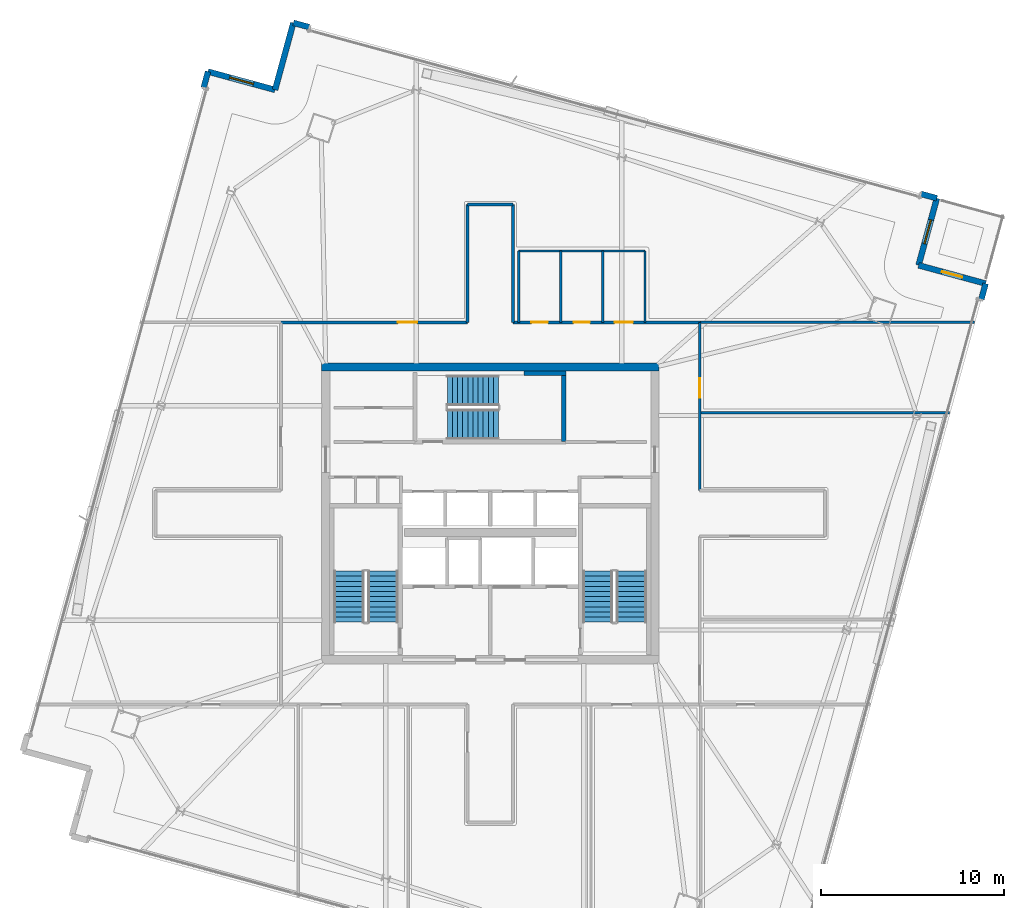
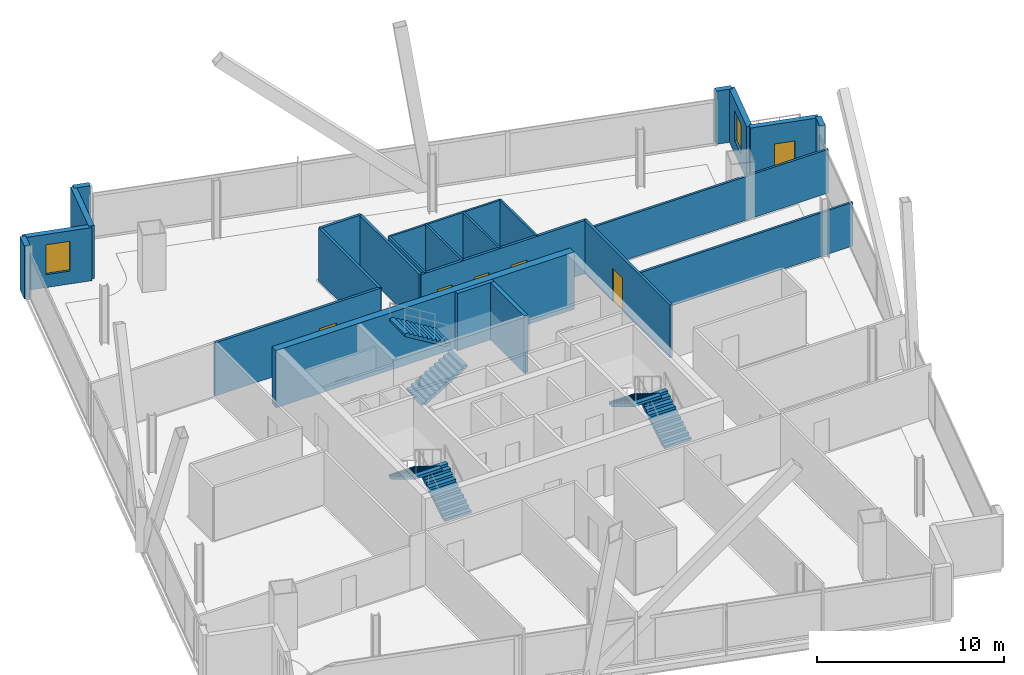
# One storey, part 22 of 26: 24 walls, 6 doors, 6 stair flights, 2 windows, 8 openings, 3 elements without a shape of their own.
"""IFC4 building model written with IfcOpenShell, lengths in metres."""

from ifc_helpers import new_model, si_unit, direction, frame, frame_2d, origin, place, context, subcontext, project, spatial, polyline, rectangle, outline, extrude, material, layer, layer_set, type_object, element, fill, aggregate, save


model = new_model("IFC4")

# Units and contexts
model_context = context("Model", 3, precision=1e-05, world=origin(), true_north=direction((0.0, 1.0)))
body_context = subcontext(model_context, "Body", "Model", "MODEL_VIEW")
ifc_project = project(units=[si_unit("LENGTHUNIT", "METRE"), si_unit("AREAUNIT", "SQUARE_METRE"), si_unit("VOLUMEUNIT", "CUBIC_METRE"), si_unit("PLANEANGLEUNIT", "RADIAN"), si_unit("MASSUNIT", "GRAM", prefix="KILO")], contexts=[model_context])

# Site, building, storey
site_placement = place(None, origin())
site = spatial("IfcSite", under=ifc_project, at=site_placement, CompositionType="ELEMENT")
building_placement = place(site_placement, origin())
building = spatial("IfcBuilding", under=site, at=building_placement, Name="Haldenkirk Collegiate Tower", CompositionType="ELEMENT")
storey_placement = place(building_placement, frame((0.0, 0.0, 278.699951171875)))
storey = spatial("IfcBuildingStorey", under=building, at=storey_placement, Name="L70", CompositionType="ELEMENT", Elevation=278.699951171875)

# Walls
ifc_material_1 = material(Name="Concrete f'c 55 MPa", Category="concrete")
ifc_layer_1 = layer(ifc_material_1, 0.449951171875)
ifc_layer_set_1 = layer_set([ifc_layer_1], Name="Concrete f'c 55 MPa")
wall_type_1 = type_object("IfcWallType", Name="WL-CORE-450", PredefinedType="SHEAR", material=ifc_layer_set_1)
wall_1_placement = place(storey_placement, frame((26.77490234375, 34.0, 0.0), z_axis=(0.0, 0.0, 1.0), x_axis=(1.0, 0.0, 0.0)))
element("IfcWall", 1, at=wall_1_placement, inside=storey, type_object=wall_type_1, Name="L70 central core shear wall N", PredefinedType="SHEAR", context=body_context, shape_type="SweptSolid", body=[
    extrude(rectangle(XDim=18.4501953125, YDim=0.449951171875, at=frame_2d((9.22509765625, 0.0))), origin(), (0.0, 0.0, 1.0), 3.75),
])
ifc_material_2 = material(Name="Precast concrete f'c 40 MPa", Category="concrete")
ifc_layer_2 = layer(ifc_material_2, 0.320068359375)
ifc_layer_set_2 = layer_set([ifc_layer_2], Name="Precast concrete f'c 40 MPa")
wall_type_2 = type_object("IfcWallType", Name="WL-EXT-TWR-320", PredefinedType="STANDARD", material=ifc_layer_set_2)
wall_2_placement = place(storey_placement, frame((63.084716796875, 38.568603515625, 0.0), z_axis=(0.0, 0.0, 1.0), x_axis=(-0.263094455369, -0.964770080151, 0.0)))
element("IfcWall", 2, at=wall_2_placement, inside=storey, type_object=wall_type_2, Name="L70 precast corner pier SL", PredefinedType="STANDARD", context=body_context, shape_type="SweptSolid", body=[
    extrude(rectangle(XDim=0.900146484375, YDim=0.320068359375, at=frame_2d((0.4501953125, 0.0))), origin(), (0.0, 0.0, 1.0), 3.47998046875),
])

# Wall, opening, door
wall_3_placement = place(storey_placement, frame((59.41845703125, 39.568115234375, 0.0), z_axis=(0.0, 0.0, 1.0), x_axis=(0.96478902119, -0.26302498853, 0.0)))
wall_3 = element("IfcWall", 3, at=wall_3_placement, inside=storey, type_object=wall_type_2, Name="L70 bronze precast notch wall 02", PredefinedType="STANDARD", context=body_context, shape_type="SweptSolid", body=[
    extrude(rectangle(XDim=3.800048828125, YDim=0.320068359375, at=frame_2d((1.89990234375, 0.0))), origin(), (0.0, 0.0, 1.0), 3.47998046875),
])
opening_1_placement = place(wall_3_placement, frame((1.324951171875, 0.0, 0.0)))
opening_1 = element("IfcOpeningElement", 4, at=opening_1_placement, cuts=wall_3, Name="Opening D-ST11", PredefinedType="OPENING", context=body_context, shape_type="SweptSolid", body=[
    extrude(rectangle(XDim=1.14990234375, YDim=2.199951171875, at=frame_2d((0.574951171875, 1.10009765625))), frame((0.0, 0.169921875, 0.0), z_axis=(0.0, -1.0, 0.0), x_axis=(1.0, 0.0, 0.0)), (0.0, 0.0, 1.0), 0.340087890625),
])
ifc_material_3 = material(Name="Anodised architectural bronze aluminium", Category="aluminium")
ifc_layer_3 = layer(ifc_material_3, 0.080078125)
ifc_layer_set_3 = layer_set([ifc_layer_3], Name="Anodised architectural bronze aluminium")
door_type_1 = type_object("IfcDoorType", Name="DR-EXT-STER-1150", OperationType="NOTDEFINED", PredefinedType="DOOR", material=ifc_layer_set_3)
door_1_placement = place(opening_1_placement, origin())
door_1 = element("IfcDoor", 5, at=door_1_placement, inside=storey, type_object=door_type_1, Name="L70 spiralling terrace door", OperationType="SINGLE_SWING_LEFT", OverallHeight=2.199951171875, OverallWidth=1.14990234375, PredefinedType="DOOR", context=body_context, shape_type="SweptSolid", body=[
    extrude(rectangle(XDim=1.14990234375, YDim=2.199951171875, at=frame_2d((0.574951171875, 1.10009765625))), frame((0.0, 0.02490234375, 0.0), z_axis=(0.0, -1.0, 0.0), x_axis=(1.0, 0.0, 0.0)), (0.0, 0.0, 1.0), 0.050048828125),
])
fill(opening_1, door_1)

# Wall, opening, window
wall_4_placement = place(storey_placement, frame((60.41796875, 43.234130859375, 0.0), z_axis=(0.0, 0.0, 1.0), x_axis=(-0.263041292916, -0.964784576069, 0.0)))
wall_4 = element("IfcWall", 6, at=wall_4_placement, inside=storey, type_object=wall_type_2, Name="L70 bronze precast notch wall 03", PredefinedType="STANDARD", context=body_context, shape_type="SweptSolid", body=[
    extrude(rectangle(XDim=3.7998046875, YDim=0.320068359375, at=frame_2d((1.89990234375, 0.0))), origin(), (0.0, 0.0, 1.0), 3.47998046875),
])
opening_2_placement = place(wall_4_placement, frame((1.22509765625, 0.0, 0.85009765625)))
opening_2 = element("IfcOpeningElement", 7, at=opening_2_placement, cuts=wall_4, Name="Opening W-07", PredefinedType="OPENING", context=body_context, shape_type="SweptSolid", body=[
    extrude(rectangle(XDim=1.35009765625, YDim=1.949951171875, at=frame_2d((0.675048828125, 0.97509765625))), frame((0.0, 0.169921875, 0.0), z_axis=(0.0, -1.0, 0.0), x_axis=(1.0, 0.0, 0.0)), (0.0, 0.0, 1.0), 0.340087890625),
])
ifc_material_4 = material(Name="Low-E argon triple insulating glass", Category="glass")
ifc_layer_4 = layer(ifc_material_4, 0.090087890625)
ifc_layer_set_4 = layer_set([ifc_layer_4], Name="Low-E argon triple insulating glass")
window_type = type_object("IfcWindowType", Name="WN-Z5-1350X1950", PartitioningType="SINGLE_PANEL", PredefinedType="WINDOW", material=ifc_layer_set_4)
window_1_placement = place(opening_2_placement, origin())
window_1 = element("IfcWindow", 8, at=window_1_placement, inside=storey, type_object=window_type, Name="L70 precast-frame academic window 2", OverallHeight=1.949951171875, OverallWidth=1.35009765625, PartitioningType="SINGLE_PANEL", PredefinedType="WINDOW", context=body_context, shape_type="SweptSolid", body=[
    extrude(rectangle(XDim=1.35009765625, YDim=1.949951171875, at=frame_2d((0.675048828125, 0.97509765625))), frame((0.0, 0.030029296875, 0.0), z_axis=(0.0, -1.0, 0.0), x_axis=(1.0, 0.0, 0.0)), (0.0, 0.0, 1.0), 0.06005859375),
])
fill(opening_2, window_1)

# Walls
for number, where, z_axis, x_axis, name in (
    (9, (25.227294921875, 52.828125, 0.0), (0.0, 0.0, 1.0), (0.964838897514, -0.262841971237, 0.0), "L70 precast corner pier EL"),
    (10, (59.549560546875, 43.470947265625, 0.0), (0.0, 0.0, 1.0), (0.964770080151, -0.263094455369, 0.0), "L70 precast corner pier ER"),
):
    element("IfcWall", number, at=place(storey_placement, frame(where, z_axis=z_axis, x_axis=x_axis)), inside=storey, type_object=wall_type_2, Name=name, PredefinedType="STANDARD", context=body_context, shape_type="SweptSolid", body=[
        extrude(rectangle(XDim=0.900146484375, YDim=0.320068359375, at=frame_2d((0.4501953125, 0.0))), origin(), (0.0, 0.0, 1.0), 3.47998046875),
    ])
wall_5_placement = place(storey_placement, frame((24.227783203125, 49.162109375, 0.0), z_axis=(0.0, 0.0, 1.0), x_axis=(0.263041292916, 0.964784576069, 0.0)))
element("IfcWall", 11, at=wall_5_placement, inside=storey, type_object=wall_type_2, Name="L70 bronze precast notch wall 05", PredefinedType="STANDARD", context=body_context, shape_type="SweptSolid", body=[
    extrude(rectangle(XDim=3.7998046875, YDim=0.320068359375, at=frame_2d((1.89990234375, 0.0))), origin(), (0.0, 0.0, 1.0), 3.47998046875),
])

# Wall, opening, window
wall_6_placement = place(storey_placement, frame((20.5615234375, 50.16162109375, 0.0), z_axis=(0.0, 0.0, 1.0), x_axis=(0.96478902119, -0.26302498853, 0.0)))
wall_6 = element("IfcWall", 12, at=wall_6_placement, inside=storey, type_object=wall_type_2, Name="L70 bronze precast notch wall 06", PredefinedType="STANDARD", context=body_context, shape_type="SweptSolid", body=[
    extrude(rectangle(XDim=3.800048828125, YDim=0.320068359375, at=frame_2d((1.89990234375, 0.0))), origin(), (0.0, 0.0, 1.0), 3.47998046875),
])
opening_3_placement = place(wall_6_placement, frame((1.22509765625, 0.0, 0.85009765625)))
opening_3 = element("IfcOpeningElement", 13, at=opening_3_placement, cuts=wall_6, Name="Opening W-07", PredefinedType="OPENING", context=body_context, shape_type="SweptSolid", body=[
    extrude(rectangle(XDim=1.35009765625, YDim=1.949951171875, at=frame_2d((0.675048828125, 0.97509765625))), frame((0.0, 0.169921875, 0.0), z_axis=(0.0, -1.0, 0.0), x_axis=(1.0, 0.0, 0.0)), (0.0, 0.0, 1.0), 0.340087890625),
])
window_2_placement = place(opening_3_placement, origin())
window_2 = element("IfcWindow", 14, at=window_2_placement, inside=storey, type_object=window_type, Name="L70 precast-frame academic window 5", OverallHeight=1.949951171875, OverallWidth=1.35009765625, PartitioningType="SINGLE_PANEL", PredefinedType="WINDOW", context=body_context, shape_type="SweptSolid", body=[
    extrude(rectangle(XDim=1.35009765625, YDim=1.949951171875, at=frame_2d((0.675048828125, 0.97509765625))), frame((0.0, 0.030029296875, 0.0), z_axis=(0.0, -1.0, 0.0), x_axis=(1.0, 0.0, 0.0)), (0.0, 0.0, 1.0), 0.06005859375),
])
fill(opening_3, window_2)

# Wall
wall_7_placement = place(storey_placement, frame((20.324951171875, 49.293212890625, 0.0), z_axis=(0.0, 0.0, 1.0), x_axis=(0.262841971237, 0.964838897514, 0.0)))
element("IfcWall", 15, at=wall_7_placement, inside=storey, type_object=wall_type_2, Name="L70 precast corner pier NR", PredefinedType="STANDARD", context=body_context, shape_type="SweptSolid", body=[
    extrude(rectangle(XDim=0.900146484375, YDim=0.320068359375, at=frame_2d((0.4501953125, 0.0))), origin(), (0.0, 0.0, 1.0), 3.47998046875),
])

# Wall, opening, door
ifc_material_5 = material(Name="Acoustic fire-rated gypsum partition", Category="concrete")
ifc_layer_5 = layer(ifc_material_5, 0.159912109375)
ifc_layer_set_5 = layer_set([ifc_layer_5], Name="Acoustic fire-rated gypsum partition")
wall_type_3 = type_object("IfcWallType", Name="WL-INT-CORR-160", PredefinedType="PARTITIONING", material=ifc_layer_set_5)
wall_8_placement = place(storey_placement, frame((24.5, 36.449951171875, 0.0), z_axis=(0.0, 0.0, 1.0), x_axis=(1.0, 0.0, 0.0)))
wall_8 = element("IfcWall", 16, at=wall_8_placement, inside=storey, type_object=wall_type_3, Name="L70 interior partition IW-L70-CN1", PredefinedType="PARTITIONING", context=body_context, shape_type="SweptSolid", body=[
    extrude(rectangle(XDim=10.25, YDim=0.159912109375, at=frame_2d((5.125, 0.0))), origin(), (0.0, 0.0, 1.0), 3.47998046875),
])
opening_4_placement = place(wall_8_placement, frame((6.445068359375, 0.0, 0.0)))
opening_4 = element("IfcOpeningElement", 17, at=opening_4_placement, cuts=wall_8, Name="Opening D-09", PredefinedType="OPENING", context=body_context, shape_type="SweptSolid", body=[
    extrude(rectangle(XDim=1.050048828125, YDim=2.14990234375, at=frame_2d((0.52490234375, 1.074951171875))), frame((0.0, 0.08984375, 0.0), z_axis=(0.0, -1.0, 0.0), x_axis=(1.0, 0.0, 0.0)), (0.0, 0.0, 1.0), 0.179931640625),
])
ifc_material_6 = material(Name="Solid-core architectural oak fire door", Category="wood")
ifc_layer_6 = layer(ifc_material_6, 0.06005859375)
ifc_layer_set_6 = layer_set([ifc_layer_6], Name="Solid-core architectural oak fire door")
door_type_2 = type_object("IfcDoorType", Name="DR-INT-FD60-1050", OperationType="NOTDEFINED", PredefinedType="DOOR", material=ifc_layer_set_6)
door_2_placement = place(opening_4_placement, origin())
door_2 = element("IfcDoor", 18, at=door_2_placement, inside=storey, type_object=door_type_2, Name="L70 Scholar Lounge 6 door", OperationType="SINGLE_SWING_RIGHT", OverallHeight=2.14990234375, OverallWidth=1.050048828125, PredefinedType="DOOR", context=body_context, shape_type="SweptSolid", body=[
    extrude(rectangle(XDim=1.050048828125, YDim=2.14990234375, at=frame_2d((0.52490234375, 1.074951171875))), frame((0.0, 0.02490234375, 0.0), z_axis=(0.0, -1.0, 0.0), x_axis=(1.0, 0.0, 0.0)), (0.0, 0.0, 1.0), 0.050048828125),
])
fill(opening_4, door_2)

# Wall, openings, doors
wall_9_placement = place(storey_placement, frame((37.25, 36.449951171875, 0.0), z_axis=(0.0, 0.0, 1.0), x_axis=(1.0, 0.0, 0.0)))
wall_9 = element("IfcWall", 19, at=wall_9_placement, inside=storey, type_object=wall_type_3, Name="L70 interior partition IW-L70-CN2", PredefinedType="PARTITIONING", context=body_context, shape_type="SweptSolid", body=[
    extrude(rectangle(XDim=10.25, YDim=0.159912109375, at=frame_2d((5.125, 0.0))), origin(), (0.0, 0.0, 1.0), 3.47998046875),
])
opening_5_placement = place(wall_9_placement, frame((1.0, 0.0, 0.0)))
opening_5 = element("IfcOpeningElement", 20, at=opening_5_placement, cuts=wall_9, Name="Opening D-13", PredefinedType="OPENING", context=body_context, shape_type="SweptSolid", body=[
    extrude(rectangle(XDim=0.89990234375, YDim=2.14990234375, at=frame_2d((0.449951171875, 1.074951171875))), frame((0.0, 0.08984375, 0.0), z_axis=(0.0, -1.0, 0.0), x_axis=(1.0, 0.0, 0.0)), (0.0, 0.0, 1.0), 0.179931640625),
])
opening_6_placement = place(wall_9_placement, frame((3.300048828125, 0.0, 0.0)))
opening_6 = element("IfcOpeningElement", 21, at=opening_6_placement, cuts=wall_9, Name="Opening D-13", PredefinedType="OPENING", context=body_context, shape_type="SweptSolid", body=[
    extrude(rectangle(XDim=0.89990234375, YDim=2.14990234375, at=frame_2d((0.449951171875, 1.074951171875))), frame((0.0, 0.08984375, 0.0), z_axis=(0.0, -1.0, 0.0), x_axis=(1.0, 0.0, 0.0)), (0.0, 0.0, 1.0), 0.179931640625),
])
opening_7_placement = place(wall_9_placement, frame((5.550048828125, 0.0, 0.0)))
opening_7 = element("IfcOpeningElement", 22, at=opening_7_placement, cuts=wall_9, Name="Opening D-14", PredefinedType="OPENING", context=body_context, shape_type="SweptSolid", body=[
    extrude(rectangle(XDim=1.0, YDim=2.14990234375, at=frame_2d((0.5, 1.074951171875))), frame((0.0, 0.08984375, 0.0), z_axis=(0.0, -1.0, 0.0), x_axis=(1.0, 0.0, 0.0)), (0.0, 0.0, 1.0), 0.179931640625),
])
ifc_layer_7 = layer(ifc_material_6, 0.06005859375)
ifc_layer_set_7 = layer_set([ifc_layer_7], Name="Solid-core architectural oak fire door")
door_type_3 = type_object("IfcDoorType", Name="DR-INT-ACC-1000", OperationType="NOTDEFINED", PredefinedType="DOOR", material=ifc_layer_set_7)
door_3_placement = place(opening_7_placement, origin())
door_3 = element("IfcDoor", 23, at=door_3_placement, inside=storey, type_object=door_type_3, Name="L70 Accessible WC door", OperationType="SINGLE_SWING_RIGHT", OverallHeight=2.14990234375, OverallWidth=1.0, PredefinedType="DOOR", context=body_context, shape_type="SweptSolid", body=[
    extrude(rectangle(XDim=1.0, YDim=2.14990234375, at=frame_2d((0.5, 1.074951171875))), frame((0.0, 0.02490234375, 0.0), z_axis=(0.0, -1.0, 0.0), x_axis=(1.0, 0.0, 0.0)), (0.0, 0.0, 1.0), 0.050048828125),
])
fill(opening_7, door_3)
ifc_layer_8 = layer(ifc_material_6, 0.06005859375)
ifc_layer_set_8 = layer_set([ifc_layer_8], Name="Solid-core architectural oak fire door")
door_type_4 = type_object("IfcDoorType", Name="DR-INT-STD-900", OperationType="NOTDEFINED", PredefinedType="DOOR", material=ifc_layer_set_8)
door_4_placement = place(opening_5_placement, origin())
door_4 = element("IfcDoor", 24, at=door_4_placement, inside=storey, type_object=door_type_4, Name="L70 Male WC door", OperationType="SINGLE_SWING_RIGHT", OverallHeight=2.14990234375, OverallWidth=0.89990234375, PredefinedType="DOOR", context=body_context, shape_type="SweptSolid", body=[
    extrude(rectangle(XDim=0.89990234375, YDim=2.14990234375, at=frame_2d((0.449951171875, 1.074951171875))), frame((0.0, 0.02490234375, 0.0), z_axis=(0.0, -1.0, 0.0), x_axis=(1.0, 0.0, 0.0)), (0.0, 0.0, 1.0), 0.050048828125),
])
fill(opening_5, door_4)
door_5_placement = place(opening_6_placement, origin())
door_5 = element("IfcDoor", 25, at=door_5_placement, inside=storey, type_object=door_type_4, Name="L70 Female WC door", OperationType="SINGLE_SWING_LEFT", OverallHeight=2.14990234375, OverallWidth=0.89990234375, PredefinedType="DOOR", context=body_context, shape_type="SweptSolid", body=[
    extrude(rectangle(XDim=0.89990234375, YDim=2.14990234375, at=frame_2d((0.449951171875, 1.074951171875))), frame((0.0, 0.02490234375, 0.0), z_axis=(0.0, -1.0, 0.0), x_axis=(1.0, 0.0, 0.0)), (0.0, 0.0, 1.0), 0.050048828125),
])
fill(opening_6, door_5)

# Wall, opening, door
wall_10_placement = place(storey_placement, frame((47.449951171875, 27.25, 0.0), z_axis=(0.0, 0.0, 1.0), x_axis=(0.0, 1.0, 0.0)))
wall_10 = element("IfcWall", 26, at=wall_10_placement, inside=storey, type_object=wall_type_3, Name="L70 interior partition IW-L70-CE2", PredefinedType="PARTITIONING", context=body_context, shape_type="SweptSolid", body=[
    extrude(rectangle(XDim=9.199951171875, YDim=0.159912109375, at=frame_2d((4.60009765625, 0.0))), origin(), (0.0, 0.0, 1.0), 3.47998046875),
])
opening_8_placement = place(wall_10_placement, frame((5.0830078125, 0.0, 0.0)))
opening_8 = element("IfcOpeningElement", 27, at=opening_8_placement, cuts=wall_10, Name="Opening D-09", PredefinedType="OPENING", context=body_context, shape_type="SweptSolid", body=[
    extrude(rectangle(XDim=1.050048828125, YDim=2.14990234375, at=frame_2d((0.52490234375, 1.074951171875))), frame((0.0, 0.08984375, 0.0), z_axis=(0.0, -1.0, 0.0), x_axis=(1.0, 0.0, 0.0)), (0.0, 0.0, 1.0), 0.179931640625),
])
door_6_placement = place(opening_8_placement, origin())
door_6 = element("IfcDoor", 28, at=door_6_placement, inside=storey, type_object=door_type_2, Name="L70 Faculty Club Lounge 10 door", OperationType="SINGLE_SWING_RIGHT", OverallHeight=2.14990234375, OverallWidth=1.050048828125, PredefinedType="DOOR", context=body_context, shape_type="SweptSolid", body=[
    extrude(rectangle(XDim=1.050048828125, YDim=2.14990234375, at=frame_2d((0.52490234375, 1.074951171875))), frame((0.0, 0.02490234375, 0.0), z_axis=(0.0, -1.0, 0.0), x_axis=(1.0, 0.0, 0.0)), (0.0, 0.0, 1.0), 0.050048828125),
])
fill(opening_8, door_6)

# Walls
for number, where, z_axis, x_axis, name in (
    (29, (34.75, 36.449951171875, 0.0), (0.0, 0.0, 1.0), (0.0, 1.0, 0.0), "L70 interior partition IW-L70-NPW"),
    (30, (37.25, 36.449951171875, 0.0), (0.0, 0.0, 1.0), (0.0, 1.0, 0.0), "L70 interior partition IW-L70-NPE"),
):
    element("IfcWall", number, at=place(storey_placement, frame(where, z_axis=z_axis, x_axis=x_axis)), inside=storey, type_object=wall_type_3, Name=name, PredefinedType="PARTITIONING", context=body_context, shape_type="SweptSolid", body=[
        extrude(rectangle(XDim=6.449951171875, YDim=0.159912109375, at=frame_2d((3.22509765625, 0.0))), origin(), (0.0, 0.0, 1.0), 3.47998046875),
    ])
wall_11_placement = place(storey_placement, frame((34.75, 42.89990234375, 0.0), z_axis=(0.0, 0.0, 1.0), x_axis=(1.0, 0.0, 0.0)))
element("IfcWall", 31, at=wall_11_placement, inside=storey, type_object=wall_type_3, Name="L70 interior partition IW-L70-NPN", PredefinedType="PARTITIONING", context=body_context, shape_type="SweptSolid", body=[
    extrude(rectangle(XDim=2.5, YDim=0.159912109375, at=frame_2d((1.25, 0.0))), origin(), (0.0, 0.0, 1.0), 3.47998046875),
])
ifc_layer_9 = layer(ifc_material_5, 0.139892578125)
ifc_layer_set_9 = layer_set([ifc_layer_9], Name="Acoustic fire-rated gypsum partition")
wall_type_4 = type_object("IfcWallType", Name="WL-INT-DIV-140", PredefinedType="PARTITIONING", material=ifc_layer_set_9)
wall_12_placement = place(storey_placement, frame((47.449951171875, 36.449951171875, 0.0), z_axis=(0.0, 0.0, 1.0), x_axis=(1.0, 0.0, 0.0)))
element("IfcWall", 32, at=wall_12_placement, inside=storey, type_object=wall_type_4, Name="L70 interior partition IW-L70-BEN", PredefinedType="PARTITIONING", context=body_context, shape_type="SweptSolid", body=[
    extrude(rectangle(XDim=15.015625, YDim=0.139892578125, at=frame_2d((7.5078125, 0.0))), origin(), (0.0, 0.0, 1.0), 2.858154296875),
])
wall_13_placement = place(storey_placement, frame((47.449951171875, 31.5, 0.0), z_axis=(0.0, 0.0, 1.0), x_axis=(1.0, 0.0, 0.0)))
element("IfcWall", 33, at=wall_13_placement, inside=storey, type_object=wall_type_4, Name="L70 interior partition IW-L70-RE2", PredefinedType="PARTITIONING", context=body_context, shape_type="SweptSolid", body=[
    extrude(rectangle(XDim=13.666015625, YDim=0.139892578125, at=frame_2d((6.8330078125, 0.0))), origin(), (0.0, 0.0, 1.0), 2.858154296875),
])
ifc_layer_10 = layer(ifc_material_5, 0.1201171875)
ifc_layer_set_10 = layer_set([ifc_layer_10], Name="Acoustic fire-rated gypsum partition")
wall_type_5 = type_object("IfcWallType", Name="WL-INT-WET-120", PredefinedType="PARTITIONING", material=ifc_layer_set_10)
for number, where, z_axis, x_axis, name in (
    (34, (37.550048828125, 36.449951171875, 0.0), (0.0, 0.0, 1.0), (0.0, 1.0, 0.0), "L70 interior partition IW-L70-WCW"),
    (35, (39.85009765625, 36.449951171875, 0.0), (0.0, 0.0, 1.0), (0.0, 1.0, 0.0), "L70 interior partition IW-L70-WC1"),
    (36, (42.14990234375, 36.449951171875, 0.0), (0.0, 0.0, 1.0), (0.0, 1.0, 0.0), "L70 interior partition IW-L70-WC2"),
    (37, (44.449951171875, 36.449951171875, 0.0), (0.0, 0.0, 1.0), (0.0, 1.0, 0.0), "L70 interior partition IW-L70-WCE"),
):
    element("IfcWall", number, at=place(storey_placement, frame(where, z_axis=z_axis, x_axis=x_axis)), inside=storey, type_object=wall_type_5, Name=name, PredefinedType="PARTITIONING", context=body_context, shape_type="SweptSolid", body=[
        extrude(rectangle(XDim=3.900146484375, YDim=0.1201171875, at=frame_2d((1.9501953125, 0.0))), origin(), (0.0, 0.0, 1.0), 3.47998046875),
    ])
wall_14_placement = place(storey_placement, frame((37.550048828125, 40.35009765625, 0.0), z_axis=(0.0, 0.0, 1.0), x_axis=(1.0, 0.0, 0.0)))
element("IfcWall", 38, at=wall_14_placement, inside=storey, type_object=wall_type_5, Name="L70 interior partition IW-L70-WCB", PredefinedType="PARTITIONING", context=body_context, shape_type="SweptSolid", body=[
    extrude(rectangle(XDim=6.89990234375, YDim=0.1201171875, at=frame_2d((3.449951171875, 0.0))), origin(), (0.0, 0.0, 1.0), 3.47998046875),
])
ifc_layer_11 = layer(ifc_material_1, 0.239990234375)
ifc_layer_set_11 = layer_set([ifc_layer_11], Name="Concrete f'c 55 MPa")
wall_type_6 = type_object("IfcWallType", Name="WL-SHAFT-240", PredefinedType="SHEAR", material=ifc_layer_set_11)
wall_15_placement = place(storey_placement, frame((40.02001953125, 29.929931640625, 0.0), z_axis=(0.0, 0.0, 1.0), x_axis=(0.0, 1.0, 0.0)))
element("IfcWall", 39, at=wall_15_placement, inside=storey, type_object=wall_type_6, Name="L70 stair shaft shear wall SW-L70-ST3E", PredefinedType="SHEAR", context=body_context, shape_type="SweptSolid", body=[
    extrude(rectangle(XDim=3.85009765625, YDim=0.239990234375, at=frame_2d((1.925048828125, 0.0))), origin(), (0.0, 0.0, 1.0), 3.75),
])
wall_16_placement = place(storey_placement, frame((37.85009765625, 33.659912109375, 0.0), z_axis=(0.0, 0.0, 1.0), x_axis=(1.0, 0.0, 0.0)))
element("IfcWall", 40, at=wall_16_placement, inside=storey, type_object=wall_type_6, Name="L70 stair shaft shear wall SW-L70-ST3N", PredefinedType="SHEAR", context=body_context, shape_type="SweptSolid", body=[
    extrude(rectangle(XDim=2.289794921875, YDim=0.239990234375, at=frame_2d((1.14501953125, 0.0))), origin(), (0.0, 0.0, 1.0), 3.75),
])

# Stair, stair flights
ifc_material_7 = material(Name="Concrete f'c 40 MPa", Category="concrete")
stair_type = type_object("IfcStairType", Name="STR-DOGLEG-1650", PredefinedType="HALF_TURN_STAIR", material=ifc_material_7)
stair_1_placement = place(storey_placement, origin())
stair_1 = element("IfcStair", 41, at=stair_1_placement, inside=storey, type_object=stair_type, Name="L70 Core Exit Stair ST-1", PredefinedType="HALF_TURN_STAIR")
stair_flight_type = type_object("IfcStairFlightType", Name="STF-FLIGHT-1650", PredefinedType="STRAIGHT", material=ifc_material_7)
stair_flight_1_placement = place(storey_placement, frame((30.125, 20.050048828125, 0.0), z_axis=(0.0, 0.0, 1.0), x_axis=(0.0, 1.0, 0.0)))
stair_flight_1 = element("IfcStairFlight", 42, at=stair_flight_1_placement, type_object=stair_flight_type, Name="ST-1 flight 1", NumberOfRisers=11, NumberOfTreads=10, PredefinedType="STRAIGHT", RiserHeight=0.170454545, TreadLength=0.28, context=body_context, shape_type="SweptSolid", body=[
    extrude(outline(polyline([(0.0, 0.0), (0.0, 0.17041015625), (0.280029296875, 0.17041015625), (0.280029296875, 0.3408203125), (0.56005859375, 0.3408203125), (0.56005859375, 0.511474609375), (0.840087890625, 0.511474609375), (0.840087890625, 0.681884765625), (1.1201171875, 0.681884765625), (1.1201171875, 0.852294921875), (1.39990234375, 0.852294921875), (1.39990234375, 1.022705078125), (1.679931640625, 1.022705078125), (1.679931640625, 1.193115234375), (1.9599609375, 1.193115234375), (1.9599609375, 1.363525390625), (2.239990234375, 1.363525390625), (2.239990234375, 1.5341796875), (2.52001953125, 1.5341796875), (2.52001953125, 1.70458984375), (2.800048828125, 1.70458984375), (2.800048828125, 1.875), (2.800048828125, 1.529052734375), (0.288330078125, 0.0), (0.0, 0.0)])), frame((0.0, 0.824951171875, 0.0), z_axis=(0.0, -1.0, 0.0), x_axis=(1.0, 0.0, 0.0)), (0.0, 0.0, 1.0), 1.64990234375),
])
stair_flight_2_placement = place(storey_placement, frame((28.27490234375, 22.85009765625, 1.875), z_axis=(0.0, 0.0, 1.0), x_axis=(0.0, -1.0, 0.0)))
stair_flight_2 = element("IfcStairFlight", 43, at=stair_flight_2_placement, type_object=stair_flight_type, Name="ST-1 flight 2", NumberOfRisers=11, NumberOfTreads=10, PredefinedType="STRAIGHT", RiserHeight=0.170454545, TreadLength=0.28, context=body_context, shape_type="SweptSolid", body=[
    extrude(outline(polyline([(0.0, 0.0), (0.0, 0.17041015625), (0.280029296875, 0.17041015625), (0.280029296875, 0.3408203125), (0.56005859375, 0.3408203125), (0.56005859375, 0.511474609375), (0.840087890625, 0.511474609375), (0.840087890625, 0.681884765625), (1.1201171875, 0.681884765625), (1.1201171875, 0.852294921875), (1.39990234375, 0.852294921875), (1.39990234375, 1.022705078125), (1.679931640625, 1.022705078125), (1.679931640625, 1.193115234375), (1.9599609375, 1.193115234375), (1.9599609375, 1.363525390625), (2.239990234375, 1.363525390625), (2.239990234375, 1.5341796875), (2.52001953125, 1.5341796875), (2.52001953125, 1.70458984375), (2.800048828125, 1.70458984375), (2.800048828125, 1.875), (2.800048828125, 1.529052734375), (0.288330078125, 0.0), (0.0, 0.0)])), frame((0.0, 0.824951171875, 0.0), z_axis=(0.0, -1.0, 0.0), x_axis=(1.0, 0.0, 0.0)), (0.0, 0.0, 1.0), 1.64990234375),
])
aggregate(stair_1, [stair_flight_1, stair_flight_2])

stair_2_placement = place(storey_placement, origin())
stair_2 = element("IfcStair", 44, at=stair_2_placement, inside=storey, type_object=stair_type, Name="L70 Core Exit Stair ST-2", PredefinedType="HALF_TURN_STAIR")
stair_flight_3_placement = place(storey_placement, frame((43.72509765625, 20.050048828125, 0.0), z_axis=(0.0, 0.0, 1.0), x_axis=(0.0, 1.0, 0.0)))
stair_flight_3 = element("IfcStairFlight", 45, at=stair_flight_3_placement, type_object=stair_flight_type, Name="ST-2 flight 1", NumberOfRisers=11, NumberOfTreads=10, PredefinedType="STRAIGHT", RiserHeight=0.170454545, TreadLength=0.28, context=body_context, shape_type="SweptSolid", body=[
    extrude(outline(polyline([(0.0, 0.0), (0.0, 0.17041015625), (0.280029296875, 0.17041015625), (0.280029296875, 0.3408203125), (0.56005859375, 0.3408203125), (0.56005859375, 0.511474609375), (0.840087890625, 0.511474609375), (0.840087890625, 0.681884765625), (1.1201171875, 0.681884765625), (1.1201171875, 0.852294921875), (1.39990234375, 0.852294921875), (1.39990234375, 1.022705078125), (1.679931640625, 1.022705078125), (1.679931640625, 1.193115234375), (1.9599609375, 1.193115234375), (1.9599609375, 1.363525390625), (2.239990234375, 1.363525390625), (2.239990234375, 1.5341796875), (2.52001953125, 1.5341796875), (2.52001953125, 1.70458984375), (2.800048828125, 1.70458984375), (2.800048828125, 1.875), (2.800048828125, 1.529052734375), (0.288330078125, 0.0), (0.0, 0.0)])), frame((0.0, 0.824951171875, 0.0), z_axis=(0.0, -1.0, 0.0), x_axis=(1.0, 0.0, 0.0)), (0.0, 0.0, 1.0), 1.64990234375),
])
stair_flight_4_placement = place(storey_placement, frame((41.875, 22.85009765625, 1.875), z_axis=(0.0, 0.0, 1.0), x_axis=(0.0, -1.0, 0.0)))
stair_flight_4 = element("IfcStairFlight", 46, at=stair_flight_4_placement, type_object=stair_flight_type, Name="ST-2 flight 2", NumberOfRisers=11, NumberOfTreads=10, PredefinedType="STRAIGHT", RiserHeight=0.170454545, TreadLength=0.28, context=body_context, shape_type="SweptSolid", body=[
    extrude(outline(polyline([(0.0, 0.0), (0.0, 0.17041015625), (0.280029296875, 0.17041015625), (0.280029296875, 0.3408203125), (0.56005859375, 0.3408203125), (0.56005859375, 0.511474609375), (0.840087890625, 0.511474609375), (0.840087890625, 0.681884765625), (1.1201171875, 0.681884765625), (1.1201171875, 0.852294921875), (1.39990234375, 0.852294921875), (1.39990234375, 1.022705078125), (1.679931640625, 1.022705078125), (1.679931640625, 1.193115234375), (1.9599609375, 1.193115234375), (1.9599609375, 1.363525390625), (2.239990234375, 1.363525390625), (2.239990234375, 1.5341796875), (2.52001953125, 1.5341796875), (2.52001953125, 1.70458984375), (2.800048828125, 1.70458984375), (2.800048828125, 1.875), (2.800048828125, 1.529052734375), (0.288330078125, 0.0), (0.0, 0.0)])), frame((0.0, 0.824951171875, 0.0), z_axis=(0.0, -1.0, 0.0), x_axis=(1.0, 0.0, 0.0)), (0.0, 0.0, 1.0), 1.64990234375),
])
aggregate(stair_2, [stair_flight_3, stair_flight_4])

stair_3_placement = place(storey_placement, origin())
stair_3 = element("IfcStair", 47, at=stair_3_placement, inside=storey, type_object=stair_type, Name="L70 Core Exit Stair ST-3", PredefinedType="HALF_TURN_STAIR")
stair_flight_5_placement = place(storey_placement, frame((33.64990234375, 30.875, 0.0), z_axis=(0.0, 0.0, 1.0), x_axis=(1.0, 0.0, 0.0)))
stair_flight_5 = element("IfcStairFlight", 48, at=stair_flight_5_placement, type_object=stair_flight_type, Name="ST-3 flight 1", NumberOfRisers=11, NumberOfTreads=10, PredefinedType="STRAIGHT", RiserHeight=0.170454545, TreadLength=0.28, context=body_context, shape_type="SweptSolid", body=[
    extrude(outline(polyline([(0.0, 0.0), (0.0, 0.17041015625), (0.280029296875, 0.17041015625), (0.280029296875, 0.3408203125), (0.56005859375, 0.3408203125), (0.56005859375, 0.511474609375), (0.840087890625, 0.511474609375), (0.840087890625, 0.681884765625), (1.1201171875, 0.681884765625), (1.1201171875, 0.852294921875), (1.39990234375, 0.852294921875), (1.39990234375, 1.022705078125), (1.679931640625, 1.022705078125), (1.679931640625, 1.193115234375), (1.9599609375, 1.193115234375), (1.9599609375, 1.363525390625), (2.239990234375, 1.363525390625), (2.239990234375, 1.5341796875), (2.52001953125, 1.5341796875), (2.52001953125, 1.70458984375), (2.800048828125, 1.70458984375), (2.800048828125, 1.875), (2.800048828125, 1.529052734375), (0.288330078125, 0.0), (0.0, 0.0)])), frame((0.0, 0.824951171875, 0.0), z_axis=(0.0, -1.0, 0.0), x_axis=(1.0, 0.0, 0.0)), (0.0, 0.0, 1.0), 1.64990234375),
])
stair_flight_6_placement = place(storey_placement, frame((36.449951171875, 32.72509765625, 1.875), z_axis=(0.0, 0.0, 1.0), x_axis=(-1.0, 0.0, 0.0)))
stair_flight_6 = element("IfcStairFlight", 49, at=stair_flight_6_placement, type_object=stair_flight_type, Name="ST-3 flight 2", NumberOfRisers=11, NumberOfTreads=10, PredefinedType="STRAIGHT", RiserHeight=0.170454545, TreadLength=0.28, context=body_context, shape_type="SweptSolid", body=[
    extrude(outline(polyline([(0.0, 0.0), (0.0, 0.17041015625), (0.280029296875, 0.17041015625), (0.280029296875, 0.3408203125), (0.56005859375, 0.3408203125), (0.56005859375, 0.511474609375), (0.840087890625, 0.511474609375), (0.840087890625, 0.681884765625), (1.1201171875, 0.681884765625), (1.1201171875, 0.852294921875), (1.39990234375, 0.852294921875), (1.39990234375, 1.022705078125), (1.679931640625, 1.022705078125), (1.679931640625, 1.193115234375), (1.9599609375, 1.193115234375), (1.9599609375, 1.363525390625), (2.239990234375, 1.363525390625), (2.239990234375, 1.5341796875), (2.52001953125, 1.5341796875), (2.52001953125, 1.70458984375), (2.800048828125, 1.70458984375), (2.800048828125, 1.875), (2.800048828125, 1.529052734375), (0.288330078125, 0.0), (0.0, 0.0)])), frame((0.0, 0.824951171875, 0.0), z_axis=(0.0, -1.0, 0.0), x_axis=(1.0, 0.0, 0.0)), (0.0, 0.0, 1.0), 1.64990234375),
])
aggregate(stair_3, [stair_flight_5, stair_flight_6])

save(model, "model.ifc")
